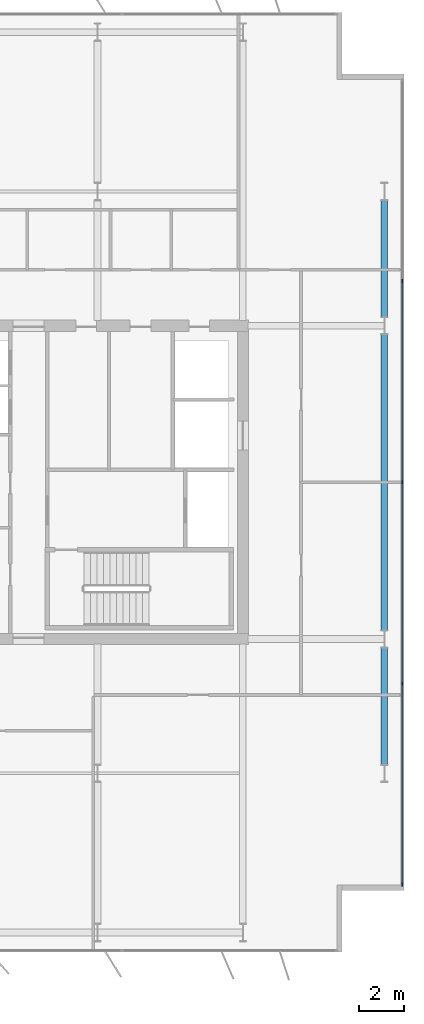
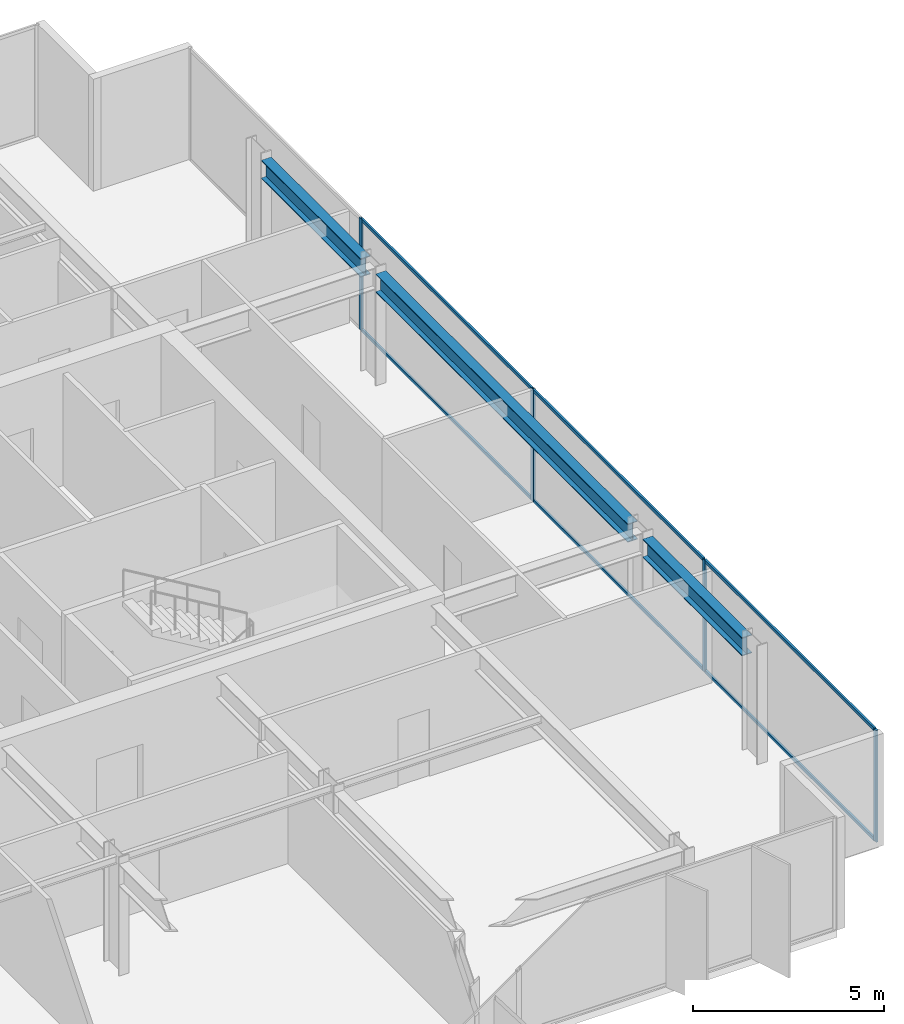
# One storey, part 14 of 23: 10 members, 3 beams, 1 element without a shape of its own.
"""IFC4 building model written with IfcOpenShell, lengths in metres."""

from ifc_helpers import new_model, si_unit, direction, frame, origin, origin_2d, place, context, subcontext, project, spatial, rectangle, i_section, extrude, material, layer, layer_set, material_profile, profile_set, type_object, element, aggregate, save


model = new_model("IFC4")

# Units and contexts
model_context = context("Model", 3, precision=1e-05, world=origin(), true_north=direction((0.0, 1.0)))
body_context = subcontext(model_context, "Body", "Model", "MODEL_VIEW")
ifc_project = project(units=[si_unit("LENGTHUNIT", "METRE"), si_unit("AREAUNIT", "SQUARE_METRE"), si_unit("VOLUMEUNIT", "CUBIC_METRE"), si_unit("PLANEANGLEUNIT", "RADIAN"), si_unit("MASSUNIT", "GRAM", prefix="KILO")], contexts=[model_context])

# Site, building, storey
site_placement = place(None, origin())
site = spatial("IfcSite", under=ifc_project, at=site_placement, CompositionType="ELEMENT")
building_placement = place(site_placement, origin())
building = spatial("IfcBuilding", under=site, at=building_placement, Name="Putna Gate Headquarters", CompositionType="ELEMENT")
storey_placement = place(building_placement, frame((0.0, 0.0, 210.0)))
storey = spatial("IfcBuildingStorey", under=building, at=storey_placement, Name="L52", CompositionType="ELEMENT", Elevation=210.0)

# Beams
ifc_material_1 = material(Name="Steel S355J2", Category="steel")
ifc_material_profile_1 = material_profile(ifc_material_1, i_section(OverallWidth=0.300048828125, OverallDepth=0.590087890625, WebThickness=0.012939453125, FlangeThickness=0.02490234375, at=origin_2d()), Name="Steel S355J2")
ifc_profile_set_1 = profile_set([ifc_material_profile_1], Name="Steel S355J2")
beam_type = type_object("IfcBeamType", Name="BM-SPAN-Z4-HEA600", PredefinedType="SPANDREL", material=ifc_profile_set_1)
beam_1_placement = place(storey_placement, frame((71.320068359375, 13.39501953125, 3.284912109375), z_axis=(0.0, 1.0, 0.0), x_axis=(-1.0, 0.0, 0.0)))
element("IfcBeam", 1, at=beam_1_placement, inside=storey, type_object=beam_type, Name="L52 E End Spandrel 1", PredefinedType="SPANDREL", context=body_context, shape_type="SweptSolid", body=[
    extrude(i_section(OverallWidth=0.300048828125, OverallDepth=0.590087890625, WebThickness=0.012939453125, FlangeThickness=0.02490234375, at=origin_2d()), origin(), (0.0, 0.0, 1.0), 5.2099609375),
])
beam_2_placement = place(storey_placement, frame((71.320068359375, 19.39501953125, 3.284912109375), z_axis=(0.0, 1.0, 0.0), x_axis=(-1.0, 0.0, 0.0)))
element("IfcBeam", 2, at=beam_2_placement, inside=storey, type_object=beam_type, Name="L52 E End Spandrel 2", PredefinedType="SPANDREL", context=body_context, shape_type="SweptSolid", body=[
    extrude(i_section(OverallWidth=0.300048828125, OverallDepth=0.590087890625, WebThickness=0.012939453125, FlangeThickness=0.02490234375, at=origin_2d()), origin(), (0.0, 0.0, 1.0), 13.2099609375),
])
beam_3_placement = place(storey_placement, frame((71.320068359375, 33.39501953125, 3.284912109375), z_axis=(0.0, 1.0, 0.0), x_axis=(-1.0, 0.0, 0.0)))
element("IfcBeam", 3, at=beam_3_placement, inside=storey, type_object=beam_type, Name="L52 E End Spandrel 3", PredefinedType="SPANDREL", context=body_context, shape_type="SweptSolid", body=[
    extrude(i_section(OverallWidth=0.300048828125, OverallDepth=0.590087890625, WebThickness=0.012939453125, FlangeThickness=0.02490234375, at=origin_2d()), origin(), (0.0, 0.0, 1.0), 5.2099609375),
])

# Curtain wall, members
ifc_material_2 = material(Name="Anodised bronze aluminium curtain wall", Category="aluminium")
ifc_layer = layer(ifc_material_2, 0.139892578125)
ifc_layer_set = layer_set([ifc_layer], Name="Anodised bronze aluminium curtain wall")
curtain_wall_type = type_object("IfcCurtainWallType", Name="CW-SYS-Z4", PredefinedType="USERDEFINED", material=ifc_layer_set)
curtain_wall_placement = place(storey_placement, origin())
curtain_wall = element("IfcCurtainWall", 4, at=curtain_wall_placement, inside=storey, type_object=curtain_wall_type, Name="L52 East Curtain Wall", ObjectType="STICK CURTAIN WALL", PredefinedType="USERDEFINED")
ifc_material_3 = material(Name="Anodised bronze aluminium EN AW-6060", Category="aluminium")
ifc_material_profile_2 = material_profile(ifc_material_3, rectangle(XDim=0.06005859375, YDim=0.139892578125, at=origin_2d()), Name="Anodised bronze aluminium EN AW-6060")
ifc_profile_set_2 = profile_set([ifc_material_profile_2], Name="Anodised bronze aluminium EN AW-6060")
member_type_1 = type_object("IfcMemberType", Name="MULL-CWM-4", PredefinedType="MULLION", material=ifc_profile_set_2)
member_1_placement = place(storey_placement, frame((72.1201171875, 8.030029296875, 0.0), z_axis=(0.0, 0.0, 1.0), x_axis=(-1.0, 0.0, 0.0)))
member_1 = element("IfcMember", 5, at=member_1_placement, type_object=member_type_1, Name="CWS-4 mullion 1", PredefinedType="MULLION", context=body_context, shape_type="SweptSolid", body=[
    extrude(rectangle(XDim=0.06005859375, YDim=0.139892578125, at=origin_2d()), origin(), (0.0, 0.0, 1.0), 3.580078125),
])
member_2_placement = place(storey_placement, frame((72.1201171875, 17.0, 0.0), z_axis=(0.0, 0.0, 1.0), x_axis=(-1.0, 0.0, 0.0)))
member_2 = element("IfcMember", 6, at=member_2_placement, type_object=member_type_1, Name="CWS-4 mullion 2", PredefinedType="MULLION", context=body_context, shape_type="SweptSolid", body=[
    extrude(rectangle(XDim=0.06005859375, YDim=0.139892578125, at=origin_2d()), origin(), (0.0, 0.0, 1.0), 3.580078125),
])
member_3_placement = place(storey_placement, frame((72.1201171875, 26.0, 0.0), z_axis=(0.0, 0.0, 1.0), x_axis=(-1.0, 0.0, 0.0)))
member_3 = element("IfcMember", 7, at=member_3_placement, type_object=member_type_1, Name="CWS-4 mullion 3", PredefinedType="MULLION", context=body_context, shape_type="SweptSolid", body=[
    extrude(rectangle(XDim=0.06005859375, YDim=0.139892578125, at=origin_2d()), origin(), (0.0, 0.0, 1.0), 3.580078125),
])
member_4_placement = place(storey_placement, frame((72.1201171875, 35.0, 0.0), z_axis=(0.0, 0.0, 1.0), x_axis=(-1.0, 0.0, 0.0)))
member_4 = element("IfcMember", 8, at=member_4_placement, type_object=member_type_1, Name="CWS-4 mullion 4", PredefinedType="MULLION", context=body_context, shape_type="SweptSolid", body=[
    extrude(rectangle(XDim=0.06005859375, YDim=0.139892578125, at=origin_2d()), origin(), (0.0, 0.0, 1.0), 3.580078125),
])
ifc_material_profile_3 = material_profile(ifc_material_3, rectangle(XDim=0.06005859375, YDim=0.10009765625, at=origin_2d()), Name="Anodised bronze aluminium EN AW-6060")
ifc_profile_set_3 = profile_set([ifc_material_profile_3], Name="Anodised bronze aluminium EN AW-6060")
member_type_2 = type_object("IfcMemberType", Name="TRAN-CWT-4", PredefinedType="USERDEFINED", material=ifc_profile_set_3)
member_5_placement = place(storey_placement, frame((72.1201171875, 8.06005859375, 0.030029296875), z_axis=(0.0, 1.0, 0.0), x_axis=(-1.0, 0.0, 0.0)))
member_5 = element("IfcMember", 9, at=member_5_placement, type_object=member_type_2, Name="CWS-4 transom 1.1", ObjectType="TRANSOM", PredefinedType="USERDEFINED", context=body_context, shape_type="SweptSolid", body=[
    extrude(rectangle(XDim=0.06005859375, YDim=0.10009765625, at=origin_2d()), origin(), (0.0, 0.0, 1.0), 8.909912109375),
])
member_6_placement = place(storey_placement, frame((72.1201171875, 8.06005859375, 3.550048828125), z_axis=(0.0, 1.0, 0.0), x_axis=(-1.0, 0.0, 0.0)))
member_6 = element("IfcMember", 10, at=member_6_placement, type_object=member_type_2, Name="CWS-4 transom 1.2", ObjectType="TRANSOM", PredefinedType="USERDEFINED", context=body_context, shape_type="SweptSolid", body=[
    extrude(rectangle(XDim=0.06005859375, YDim=0.10009765625, at=origin_2d()), origin(), (0.0, 0.0, 1.0), 8.909912109375),
])
member_7_placement = place(storey_placement, frame((72.1201171875, 17.030029296875, 0.030029296875), z_axis=(0.0, 1.0, 0.0), x_axis=(-1.0, 0.0, 0.0)))
member_7 = element("IfcMember", 11, at=member_7_placement, type_object=member_type_2, Name="CWS-4 transom 2.1", ObjectType="TRANSOM", PredefinedType="USERDEFINED", context=body_context, shape_type="SweptSolid", body=[
    extrude(rectangle(XDim=0.06005859375, YDim=0.10009765625, at=origin_2d()), origin(), (0.0, 0.0, 1.0), 8.93994140625),
])
member_8_placement = place(storey_placement, frame((72.1201171875, 17.030029296875, 3.550048828125), z_axis=(0.0, 1.0, 0.0), x_axis=(-1.0, 0.0, 0.0)))
member_8 = element("IfcMember", 12, at=member_8_placement, type_object=member_type_2, Name="CWS-4 transom 2.2", ObjectType="TRANSOM", PredefinedType="USERDEFINED", context=body_context, shape_type="SweptSolid", body=[
    extrude(rectangle(XDim=0.06005859375, YDim=0.10009765625, at=origin_2d()), origin(), (0.0, 0.0, 1.0), 8.93994140625),
])
member_9_placement = place(storey_placement, frame((72.1201171875, 26.030029296875, 0.030029296875), z_axis=(0.0, 1.0, 0.0), x_axis=(-1.0, 0.0, 0.0)))
member_9 = element("IfcMember", 13, at=member_9_placement, type_object=member_type_2, Name="CWS-4 transom 3.1", ObjectType="TRANSOM", PredefinedType="USERDEFINED", context=body_context, shape_type="SweptSolid", body=[
    extrude(rectangle(XDim=0.06005859375, YDim=0.10009765625, at=origin_2d()), origin(), (0.0, 0.0, 1.0), 8.93994140625),
])
member_10_placement = place(storey_placement, frame((72.1201171875, 26.030029296875, 3.550048828125), z_axis=(0.0, 1.0, 0.0), x_axis=(-1.0, 0.0, 0.0)))
member_10 = element("IfcMember", 14, at=member_10_placement, type_object=member_type_2, Name="CWS-4 transom 3.2", ObjectType="TRANSOM", PredefinedType="USERDEFINED", context=body_context, shape_type="SweptSolid", body=[
    extrude(rectangle(XDim=0.06005859375, YDim=0.10009765625, at=origin_2d()), origin(), (0.0, 0.0, 1.0), 8.93994140625),
])
aggregate(curtain_wall, [member_1, member_2, member_3, member_4, member_5, member_6, member_7, member_8, member_9, member_10])

save(model, "model.ifc")
